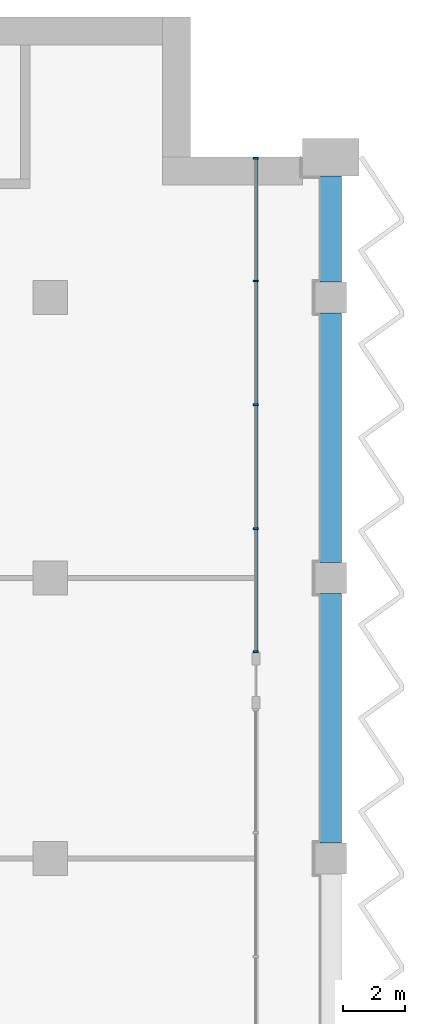
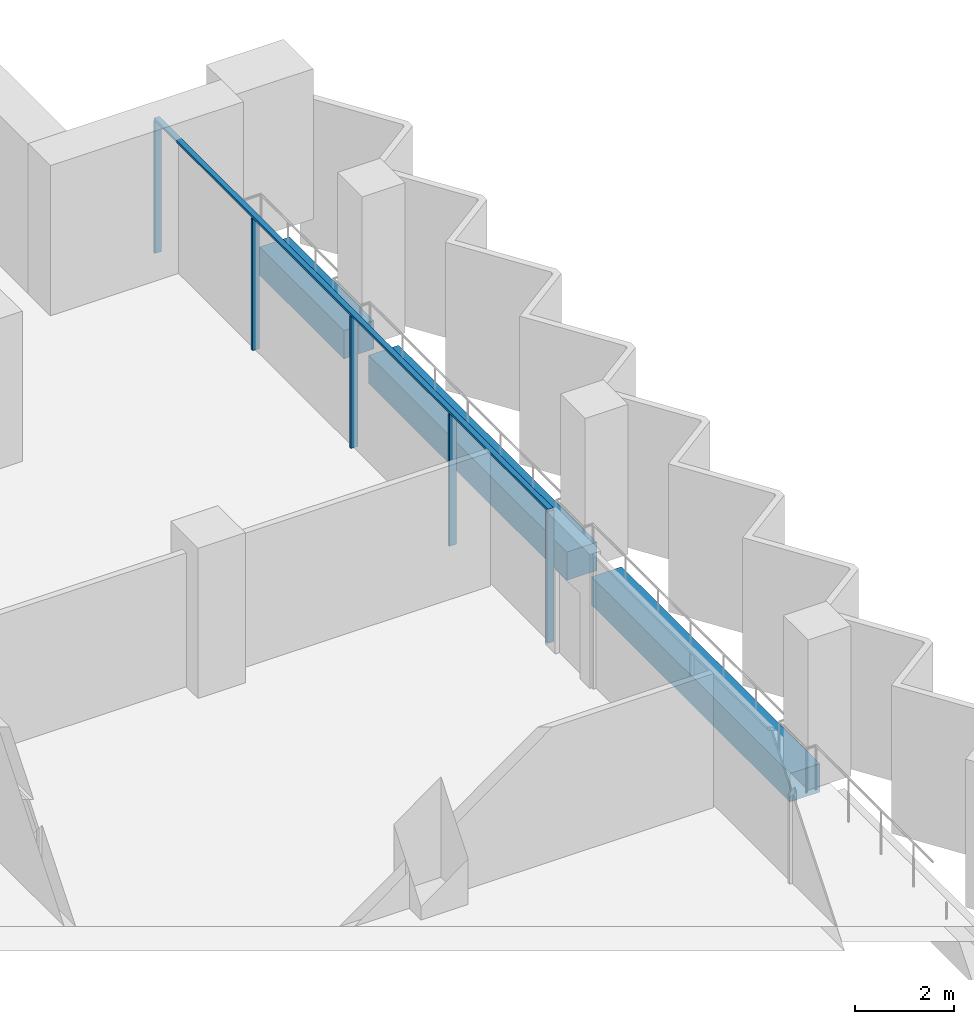
# One storey, part 5 of 17: 6 members, 3 beams, 1 element without a shape of its own.
"""IFC4 building model written with IfcOpenShell, lengths in metres."""

from ifc_helpers import new_model, si_unit, direction, frame, origin, origin_2d, place, context, subcontext, project, spatial, rectangle, extrude, material, material_profile, profile_set, type_object, element, aggregate, save


model = new_model("IFC4")

# Units and contexts
model_context = context("Model", 3, precision=1e-05, world=origin(), true_north=direction((0.0, 1.0)))
body_context = subcontext(model_context, "Body", "Model", "MODEL_VIEW")
ifc_project = project(units=[si_unit("LENGTHUNIT", "METRE"), si_unit("AREAUNIT", "SQUARE_METRE"), si_unit("VOLUMEUNIT", "CUBIC_METRE"), si_unit("PLANEANGLEUNIT", "RADIAN"), si_unit("MASSUNIT", "GRAM", prefix="KILO")], contexts=[model_context])

# Site, building, storey
site_placement = place(None, origin())
site = spatial("IfcSite", under=ifc_project, at=site_placement, CompositionType="ELEMENT")
building_placement = place(site_placement, origin())
building = spatial("IfcBuilding", under=site, at=building_placement, Name="Hunhe Ridgeline Campus", CompositionType="ELEMENT")
storey_placement = place(building_placement, frame((0.0, 0.0, 186.5)))
storey = spatial("IfcBuildingStorey", under=building, at=storey_placement, Name="L47", CompositionType="ELEMENT", Elevation=186.5)

# Curtain wall, members
ifc_material_1 = material(Name="Aluminium 6063", Category="aluminium")
curtain_wall_type = type_object("IfcCurtainWallType", Name="Curtain wall CW-1", PredefinedType="NOTDEFINED", material=ifc_material_1)
curtain_wall_placement = place(storey_placement, origin())
curtain_wall = element("IfcCurtainWall", 1, at=curtain_wall_placement, inside=storey, type_object=curtain_wall_type, Name="Curtain wall 14", PredefinedType="NOTDEFINED")
ifc_material_profile_1 = material_profile(ifc_material_1, rectangle(XDim=0.159912109375, YDim=0.06005859375, at=origin_2d()))
ifc_profile_set_1 = profile_set([ifc_material_profile_1], Name="Aluminium 6063")
member_type_1 = type_object("IfcMemberType", Name="CW-1 aluminium mullion", PredefinedType="MULLION", material=ifc_profile_set_1)
member_1_placement = place(storey_placement, frame((51.59912109375, 78.630615234375, 0.0), z_axis=(0.0, 0.0, 1.0), x_axis=(-1.0, 0.0, 0.0)))
member_1 = element("IfcMember", 2, at=member_1_placement, type_object=member_type_1, Name="CW-1 mullion 1", PredefinedType="MULLION", context=body_context, shape_type="SweptSolid", body=[
    extrude(rectangle(XDim=0.159912109375, YDim=0.06005859375, at=origin_2d()), origin(), (0.0, 0.0, 1.0), 3.239990234375),
])
member_2_placement = place(storey_placement, frame((51.59912109375, 82.575439453125, 0.0), z_axis=(0.0, 0.0, 1.0), x_axis=(-1.0, 0.0, 0.0)))
member_2 = element("IfcMember", 3, at=member_2_placement, type_object=member_type_1, Name="CW-1 mullion 2", PredefinedType="MULLION", context=body_context, shape_type="SweptSolid", body=[
    extrude(rectangle(XDim=0.159912109375, YDim=0.06005859375, at=origin_2d()), origin(), (0.0, 0.0, 1.0), 3.239990234375),
])
member_3_placement = place(storey_placement, frame((51.59912109375, 86.55029296875, 0.0), z_axis=(0.0, 0.0, 1.0), x_axis=(-1.0, 0.0, 0.0)))
member_3 = element("IfcMember", 4, at=member_3_placement, type_object=member_type_1, Name="CW-1 mullion 3", PredefinedType="MULLION", context=body_context, shape_type="SweptSolid", body=[
    extrude(rectangle(XDim=0.159912109375, YDim=0.06005859375, at=origin_2d()), origin(), (0.0, 0.0, 1.0), 3.239990234375),
])
member_4_placement = place(storey_placement, frame((51.59912109375, 90.525146484375, 0.0), z_axis=(0.0, 0.0, 1.0), x_axis=(-1.0, 0.0, 0.0)))
member_4 = element("IfcMember", 5, at=member_4_placement, type_object=member_type_1, Name="CW-1 mullion 4", PredefinedType="MULLION", context=body_context, shape_type="SweptSolid", body=[
    extrude(rectangle(XDim=0.159912109375, YDim=0.06005859375, at=origin_2d()), origin(), (0.0, 0.0, 1.0), 3.239990234375),
])
member_5_placement = place(storey_placement, frame((51.59912109375, 94.469970703125, 0.0), z_axis=(0.0, 0.0, 1.0), x_axis=(-1.0, 0.0, 0.0)))
member_5 = element("IfcMember", 6, at=member_5_placement, type_object=member_type_1, Name="CW-1 mullion 5", PredefinedType="MULLION", context=body_context, shape_type="SweptSolid", body=[
    extrude(rectangle(XDim=0.159912109375, YDim=0.06005859375, at=origin_2d()), origin(), (0.0, 0.0, 1.0), 3.239990234375),
])
ifc_material_profile_2 = material_profile(ifc_material_1, rectangle(XDim=0.1201171875, YDim=0.06005859375, at=origin_2d()))
ifc_profile_set_2 = profile_set([ifc_material_profile_2], Name="Aluminium 6063")
member_type_2 = type_object("IfcMemberType", Name="CW-1 aluminium transom", PredefinedType="USERDEFINED", material=ifc_profile_set_2)
member_6_placement = place(storey_placement, frame((51.59912109375, 78.6005859375, 3.27001953125), z_axis=(0.0, 1.0, 0.0), x_axis=(-1.0, 0.0, 0.0)))
member_6 = element("IfcMember", 7, at=member_6_placement, type_object=member_type_2, Name="CW-1 transom 1", ObjectType="TRANSOM", PredefinedType="USERDEFINED", context=body_context, shape_type="SweptSolid", body=[
    extrude(rectangle(XDim=0.1201171875, YDim=0.06005859375, at=origin_2d()), origin(), (0.0, 0.0, 1.0), 15.8994140625),
])
aggregate(curtain_wall, [member_6, member_1, member_2, member_3, member_4, member_5])

# Beams
ifc_material_2 = material(Name="Concrete C50", Category="concrete")
ifc_material_profile_3 = material_profile(ifc_material_2, rectangle(XDim=0.699951171875, YDim=0.699951171875, at=origin_2d()))
ifc_profile_set_3 = profile_set([ifc_material_profile_3], Name="Concrete C50")
beam_type = type_object("IfcBeamType", Name="RC spandrel beam 700x700 Concrete C50", PredefinedType="SPANDREL", material=ifc_profile_set_3)
for number, where, z_axis, x_axis, name in (
    (8, (54.0, 72.5, -0.60009765625), (0.0, 1.0, 0.0), (-1.0, 0.0, 0.0), "Spandrel beam B3-16 L47"),
    (9, (54.0, 81.5, -0.60009765625), (0.0, 1.0, 0.0), (-1.0, 0.0, 0.0), "Spandrel beam B3-17 L47"),
):
    element("IfcBeam", number, at=place(storey_placement, frame(where, z_axis=z_axis, x_axis=x_axis)), inside=storey, type_object=beam_type, Name=name, PredefinedType="SPANDREL", context=body_context, shape_type="SweptSolid", body=[
        extrude(rectangle(XDim=0.699951171875, YDim=0.699951171875, at=origin_2d()), origin(), (0.0, 0.0, 1.0), 8.0),
    ])
beam_placement = place(storey_placement, frame((54.0, 90.5, -0.60009765625), z_axis=(0.0, 1.0, 0.0), x_axis=(-1.0, 0.0, 0.0)))
element("IfcBeam", 10, at=beam_placement, inside=storey, type_object=beam_type, Name="Spandrel beam B3-18 L47", PredefinedType="SPANDREL", context=body_context, shape_type="SweptSolid", body=[
    extrude(rectangle(XDim=0.699951171875, YDim=0.699951171875, at=origin_2d()), origin(), (0.0, 0.0, 1.0), 3.39990234375),
])

save(model, "model.ifc")
